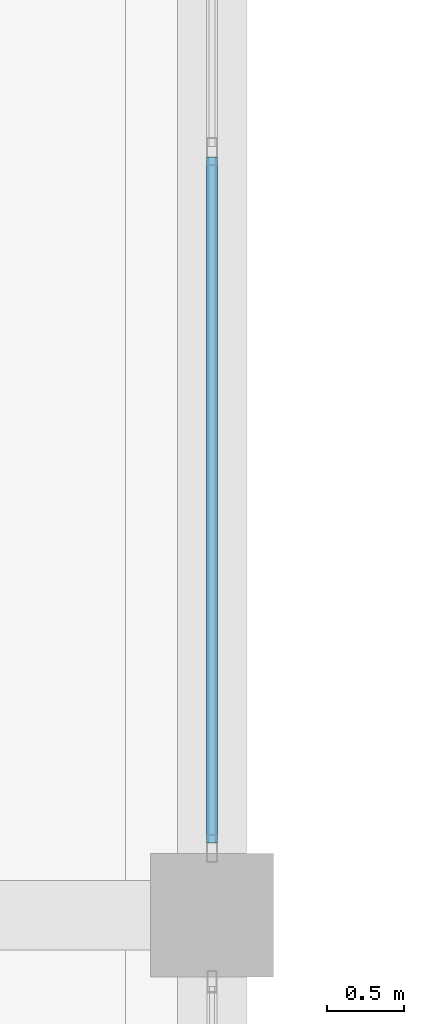
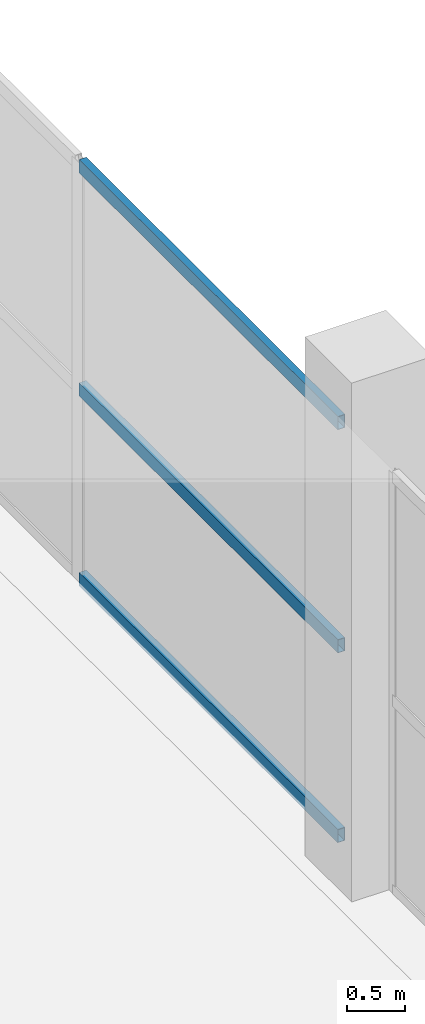
# One storey, part 13 of 74: 3 members, 1 element without a shape of its own.
"""IFC4 building model written with IfcOpenShell, lengths in metres."""

from ifc_helpers import new_model, si_unit, direction, frame, origin, origin_2d, place, context, subcontext, project, spatial, hollow_rectangle, extrude, material, layer, layer_set, material_profile, profile_set, type_object, element, aggregate, save


model = new_model("IFC4")

# Units and contexts
model_context = context("Model", 3, precision=1e-05, world=origin(), true_north=direction((0.0, 1.0)))
body_context = subcontext(model_context, "Body", "Model", "MODEL_VIEW")
ifc_project = project(units=[si_unit("LENGTHUNIT", "METRE"), si_unit("AREAUNIT", "SQUARE_METRE"), si_unit("VOLUMEUNIT", "CUBIC_METRE"), si_unit("PLANEANGLEUNIT", "RADIAN"), si_unit("MASSUNIT", "GRAM", prefix="KILO")], contexts=[model_context])

# Site, building, storey
site_placement = place(None, origin())
site = spatial("IfcSite", under=ifc_project, at=site_placement, CompositionType="ELEMENT")
building_placement = place(site_placement, origin())
building = spatial("IfcBuilding", under=site, at=building_placement, Name="Sillaruma Civic Art Gallery", CompositionType="ELEMENT")
storey_placement = place(building_placement, frame((0.0, 0.0, 5.43994140625)))
storey = spatial("IfcBuildingStorey", under=building, at=storey_placement, Name="L01", CompositionType="ELEMENT", Elevation=5.43994140625)

# Curtain wall, members
ifc_material = material(Name="Thermally Broken Extruded Aluminium 6063-T6", Category="aluminium")
ifc_layer = layer(ifc_material, 0.179931640625, Name="Thermally Broken Extruded Aluminium 6063-T6")
ifc_layer_set = layer_set([ifc_layer], Name="Thermally Broken Extruded Aluminium 6063-T6")
curtain_wall_type = type_object("IfcCurtainWallType", Name="CW-UNI-16", PredefinedType="NOTDEFINED", material=ifc_layer_set)
curtain_wall_placement = place(storey_placement, origin())
curtain_wall = element("IfcCurtainWall", 1, at=curtain_wall_placement, inside=storey, type_object=curtain_wall_type, Name="Unitised Curtain Wall CW-16 (CW-L01-SPE-5)", PredefinedType="NOTDEFINED")
ifc_material_profile = material_profile(ifc_material, hollow_rectangle(XDim=0.070068359375, YDim=0.139892578125, WallThickness=0.00390625, at=origin_2d()), Name="CWT70x140")
ifc_profile_set = profile_set([ifc_material_profile], Name="Thermally Broken Extruded Aluminium 6063-T6")
member_type = type_object("IfcMemberType", Name="MEM-TRN-CWT70x140", PredefinedType="USERDEFINED", material=ifc_profile_set)
member_1_placement = place(storey_placement, frame((114.39990234375, 59.8701171875, 0.03515625), z_axis=(0.0, 1.0, 0.0), x_axis=(-1.0, 0.0, 0.0)))
member_1 = element("IfcMember", 2, at=member_1_placement, type_object=member_type, Name="CW-16 transom 1.1", ObjectType="TRANSOM", PredefinedType="USERDEFINED", context=body_context, shape_type="SweptSolid", body=[
    extrude(hollow_rectangle(XDim=0.070068359375, YDim=0.139892578125, WallThickness=0.00390625, at=origin_2d()), origin(), (0.0, 0.0, 1.0), 4.44482421875),
])
member_2_placement = place(storey_placement, frame((114.39990234375, 59.8701171875, 2.024169921875), z_axis=(0.0, 1.0, 0.0), x_axis=(-1.0, 0.0, 0.0)))
member_2 = element("IfcMember", 3, at=member_2_placement, type_object=member_type, Name="CW-16 transom 1.2", ObjectType="TRANSOM", PredefinedType="USERDEFINED", context=body_context, shape_type="SweptSolid", body=[
    extrude(hollow_rectangle(XDim=0.070068359375, YDim=0.139892578125, WallThickness=0.00390625, at=origin_2d()), origin(), (0.0, 0.0, 1.0), 4.44482421875),
])
member_3_placement = place(storey_placement, frame((114.39990234375, 59.8701171875, 4.364990234375), z_axis=(0.0, 1.0, 0.0), x_axis=(-1.0, 0.0, 0.0)))
member_3 = element("IfcMember", 4, at=member_3_placement, type_object=member_type, Name="CW-16 transom 1.3", ObjectType="TRANSOM", PredefinedType="USERDEFINED", context=body_context, shape_type="SweptSolid", body=[
    extrude(hollow_rectangle(XDim=0.070068359375, YDim=0.139892578125, WallThickness=0.00390625, at=origin_2d()), origin(), (0.0, 0.0, 1.0), 4.44482421875),
])
aggregate(curtain_wall, [member_1, member_2, member_3])

save(model, "model.ifc")
